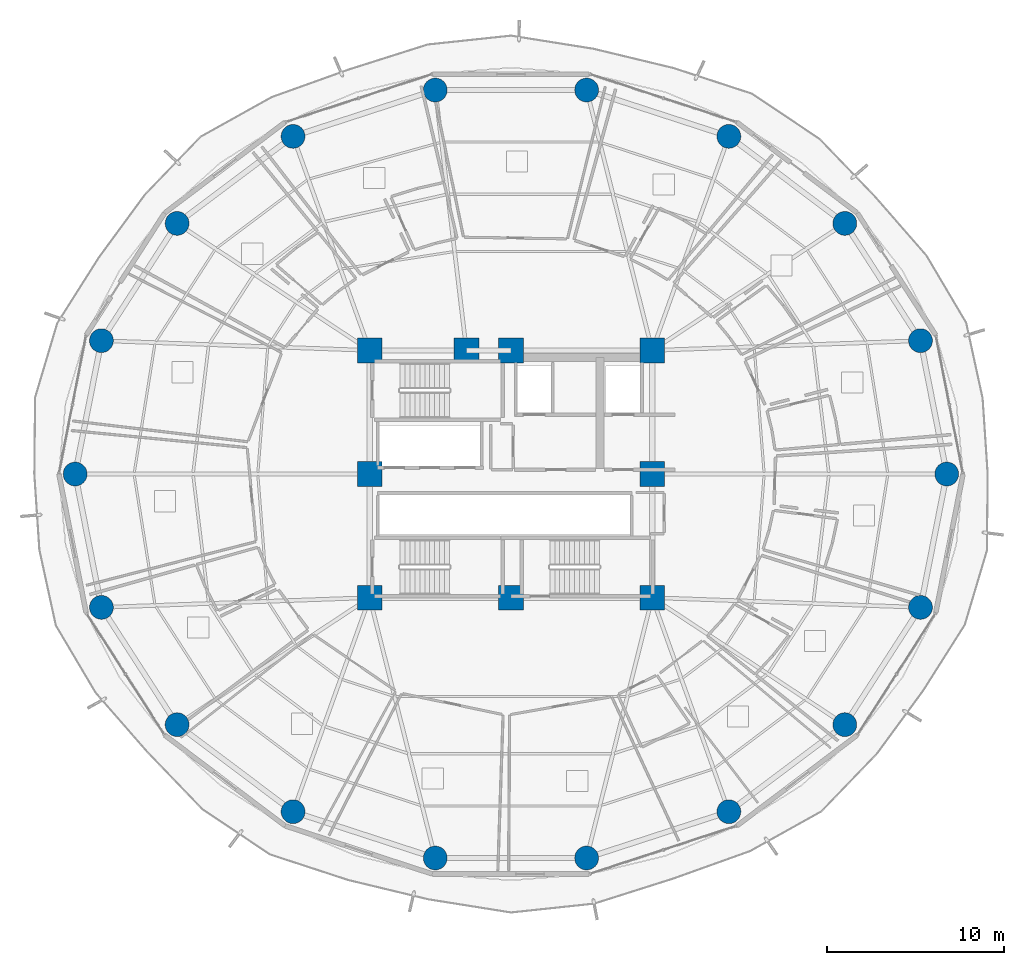
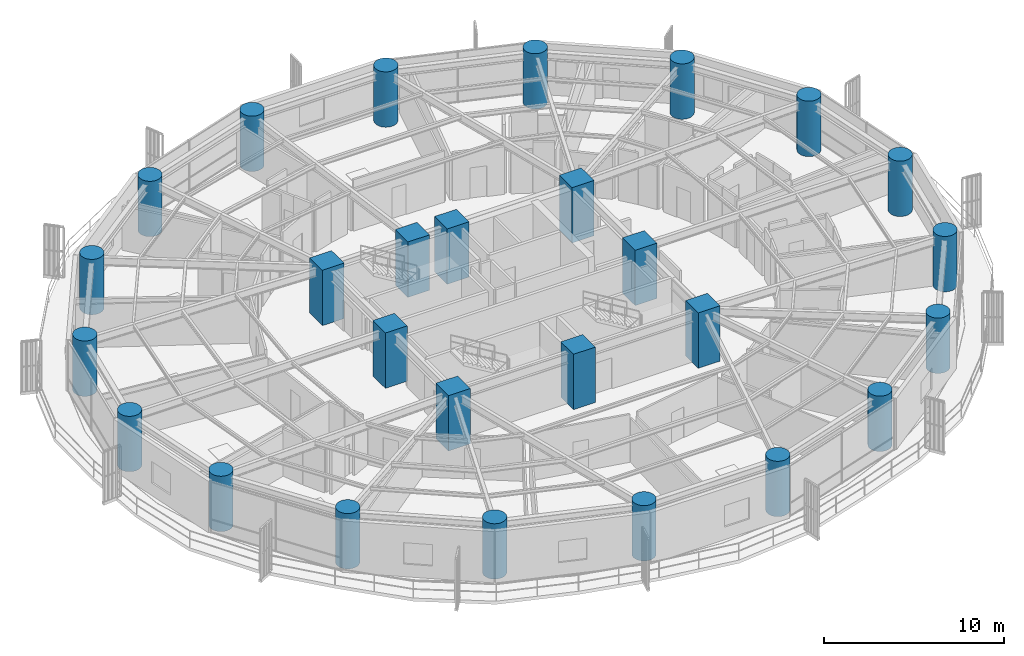
# One storey, part 1 of 36: 27 columns.
"""IFC4 building model written with IfcOpenShell, lengths in metres."""

from ifc_helpers import new_model, si_unit, direction, frame, origin, origin_2d, place, context, subcontext, project, spatial, rectangle, circle, extrude, material, material_profile, profile_set, type_object, element, save


model = new_model("IFC4")

# Units and contexts
model_context = context("Model", 3, precision=1e-05, world=origin(), true_north=direction((0.0, 1.0)))
body_context = subcontext(model_context, "Body", "Model", "MODEL_VIEW")
ifc_project = project(units=[si_unit("LENGTHUNIT", "METRE"), si_unit("AREAUNIT", "SQUARE_METRE"), si_unit("VOLUMEUNIT", "CUBIC_METRE"), si_unit("PLANEANGLEUNIT", "RADIAN"), si_unit("MASSUNIT", "GRAM", prefix="KILO")], contexts=[model_context])

# Site, building, storey
site_placement = place(None, origin())
site = spatial("IfcSite", under=ifc_project, at=site_placement, CompositionType="ELEMENT")
building_placement = place(site_placement, origin())
building = spatial("IfcBuilding", under=site, at=building_placement, Name="Kelanora Arch Commons", CompositionType="ELEMENT")
storey_placement = place(building_placement, frame((0.0, 0.0, 98.85009765625)))
storey = spatial("IfcBuildingStorey", under=building, at=storey_placement, Name="L25", CompositionType="ELEMENT", Elevation=98.85009765625)

# Columns
ifc_material = material(Name="Concrete C60/75", Category="concrete")
ifc_material_profile_1 = material_profile(ifc_material, circle(Radius=0.675048828125, at=origin_2d()), Name="RCC1350")
ifc_profile_set_1 = profile_set([ifc_material_profile_1], Name="Concrete C60/75")
column_type_1 = type_object("IfcColumnType", Name="COL-PERIM-Z2", PredefinedType="COLUMN", material=ifc_profile_set_1)
for number, where, z_axis, x_axis, name in (
    (1, (98.679931640625, 58.0, 0.0), (0.0, 0.0, 1.0), (1.0, 0.0, 0.0), "Perimeter Ring Column CP-00 L25"),
    (2, (97.191650390625, 65.5517578125, 0.0), (0.0, 0.0, 1.0), (1.0, 0.0, 0.0), "Perimeter Ring Column CP-02 L25"),
    (3, (92.906005859375, 72.19287109375, 0.0), (0.0, 0.0, 1.0), (1.0, 0.0, 0.0), "Perimeter Ring Column CP-04 L25"),
    (4, (86.340087890625, 77.121826171875, 0.0), (0.0, 0.0, 1.0), (1.0, 0.0, 0.0), "Perimeter Ring Column CP-06 L25"),
    (5, (78.28564453125, 79.74462890625, 0.0), (0.0, 0.0, 1.0), (1.0, 0.0, 0.0), "Perimeter Ring Column CP-08 L25"),
    (6, (69.71435546875, 79.74462890625, 0.0), (0.0, 0.0, 1.0), (1.0, 0.0, 0.0), "Perimeter Ring Column CP-10 L25"),
    (7, (61.659912109375, 77.121826171875, 0.0), (0.0, 0.0, 1.0), (1.0, 0.0, 0.0), "Perimeter Ring Column CP-12 L25"),
    (8, (55.093994140625, 72.19287109375, 0.0), (0.0, 0.0, 1.0), (1.0, 0.0, 0.0), "Perimeter Ring Column CP-14 L25"),
    (9, (50.808349609375, 65.5517578125, 0.0), (0.0, 0.0, 1.0), (1.0, 0.0, 0.0), "Perimeter Ring Column CP-16 L25"),
    (10, (49.320068359375, 58.0, 0.0), (0.0, 0.0, 1.0), (1.0, 0.0, 0.0), "Perimeter Ring Column CP-18 L25"),
    (11, (50.808349609375, 50.4482421875, 0.0), (0.0, 0.0, 1.0), (1.0, 0.0, 0.0), "Perimeter Ring Column CP-20 L25"),
    (12, (55.093994140625, 43.80712890625, 0.0), (0.0, 0.0, 1.0), (1.0, 0.0, 0.0), "Perimeter Ring Column CP-22 L25"),
    (13, (61.659912109375, 38.878173828125, 0.0), (0.0, 0.0, 1.0), (1.0, 0.0, 0.0), "Perimeter Ring Column CP-24 L25"),
    (14, (69.71435546875, 36.25537109375, 0.0), (0.0, 0.0, 1.0), (1.0, 0.0, 0.0), "Perimeter Ring Column CP-26 L25"),
    (15, (78.28564453125, 36.25537109375, 0.0), (0.0, 0.0, 1.0), (1.0, 0.0, 0.0), "Perimeter Ring Column CP-28 L25"),
    (16, (86.340087890625, 38.878173828125, 0.0), (0.0, 0.0, 1.0), (1.0, 0.0, 0.0), "Perimeter Ring Column CP-30 L25"),
    (17, (92.906005859375, 43.80712890625, 0.0), (0.0, 0.0, 1.0), (1.0, 0.0, 0.0), "Perimeter Ring Column CP-32 L25"),
    (18, (97.191650390625, 50.4482421875, 0.0), (0.0, 0.0, 1.0), (1.0, 0.0, 0.0), "Perimeter Ring Column CP-34 L25"),
):
    element("IfcColumn", number, at=place(storey_placement, frame(where, z_axis=z_axis, x_axis=x_axis)), inside=storey, type_object=column_type_1, Name=name, PredefinedType="COLUMN", context=body_context, shape_type="SweptSolid", body=[
        extrude(circle(Radius=0.675048828125, at=origin_2d()), origin(), (0.0, 0.0, 1.0), 3.75),
    ])
ifc_material_profile_2 = material_profile(ifc_material, rectangle(XDim=1.39990234375, YDim=1.39990234375, at=origin_2d()), Name="RC1400x1400")
ifc_profile_set_2 = profile_set([ifc_material_profile_2], Name="Concrete C60/75")
column_type_2 = type_object("IfcColumnType", Name="COL-PIL-LOW", PredefinedType="PILASTER", material=ifc_profile_set_2)
for number, where, z_axis, x_axis, name in (
    (19, (66.0, 51.0, 0.0), (0.0, 0.0, 1.0), (1.0, 0.0, 0.0), "Core Pilaster Column CP1 L25"),
    (20, (74.0, 51.0, 0.0), (0.0, 0.0, 1.0), (1.0, 0.0, 0.0), "Core Pilaster Column CP2 L25"),
    (21, (82.0, 51.0, 0.0), (0.0, 0.0, 1.0), (1.0, 0.0, 0.0), "Core Pilaster Column CP3 L25"),
    (22, (82.0, 58.0, 0.0), (0.0, 0.0, 1.0), (1.0, 0.0, 0.0), "Core Pilaster Column CP4 L25"),
    (23, (82.0, 65.0, 0.0), (0.0, 0.0, 1.0), (1.0, 0.0, 0.0), "Core Pilaster Column CP5 L25"),
    (24, (74.0, 65.0, 0.0), (0.0, 0.0, 1.0), (1.0, 0.0, 0.0), "Core Pilaster Column CP6 L25"),
    (25, (71.47998046875, 65.0, 0.0), (0.0, 0.0, 1.0), (1.0, 0.0, 0.0), "Core Pilaster Column CP9 L25"),
    (26, (66.0, 65.0, 0.0), (0.0, 0.0, 1.0), (1.0, 0.0, 0.0), "Core Pilaster Column CP7 L25"),
    (27, (66.0, 58.0, 0.0), (0.0, 0.0, 1.0), (1.0, 0.0, 0.0), "Core Pilaster Column CP8 L25"),
):
    element("IfcColumn", number, at=place(storey_placement, frame(where, z_axis=z_axis, x_axis=x_axis)), inside=storey, type_object=column_type_2, Name=name, PredefinedType="PILASTER", context=body_context, shape_type="SweptSolid", body=[
        extrude(rectangle(XDim=1.39990234375, YDim=1.39990234375, at=origin_2d()), origin(), (0.0, 0.0, 1.0), 3.75),
    ])

save(model, "model.ifc")
